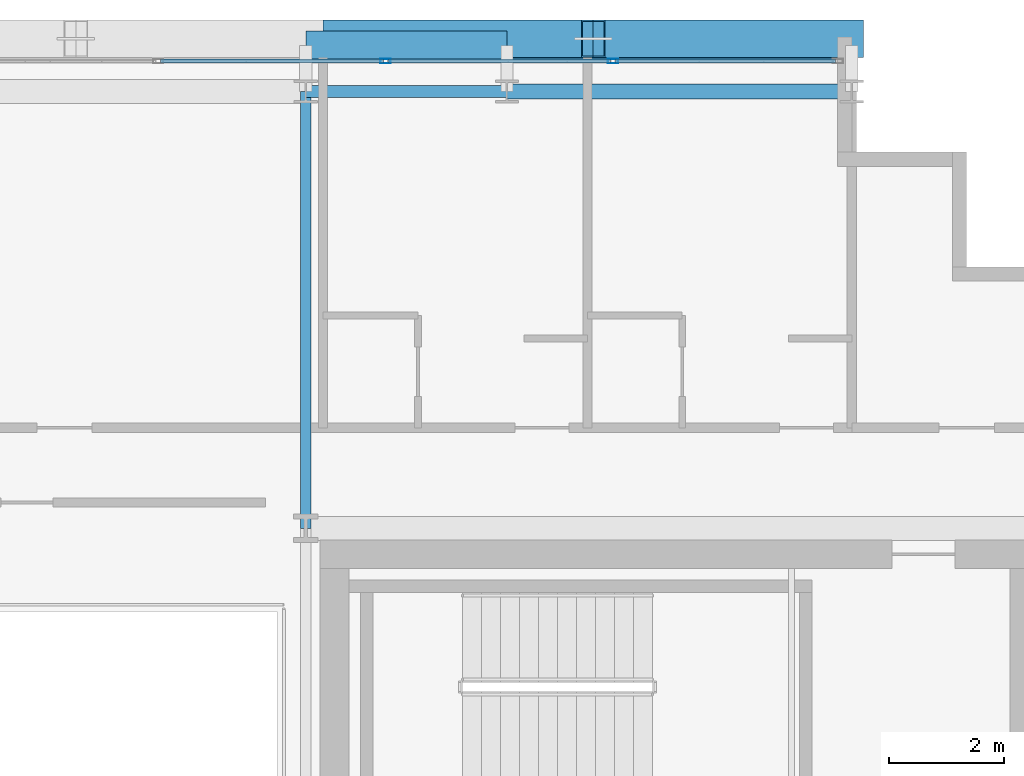
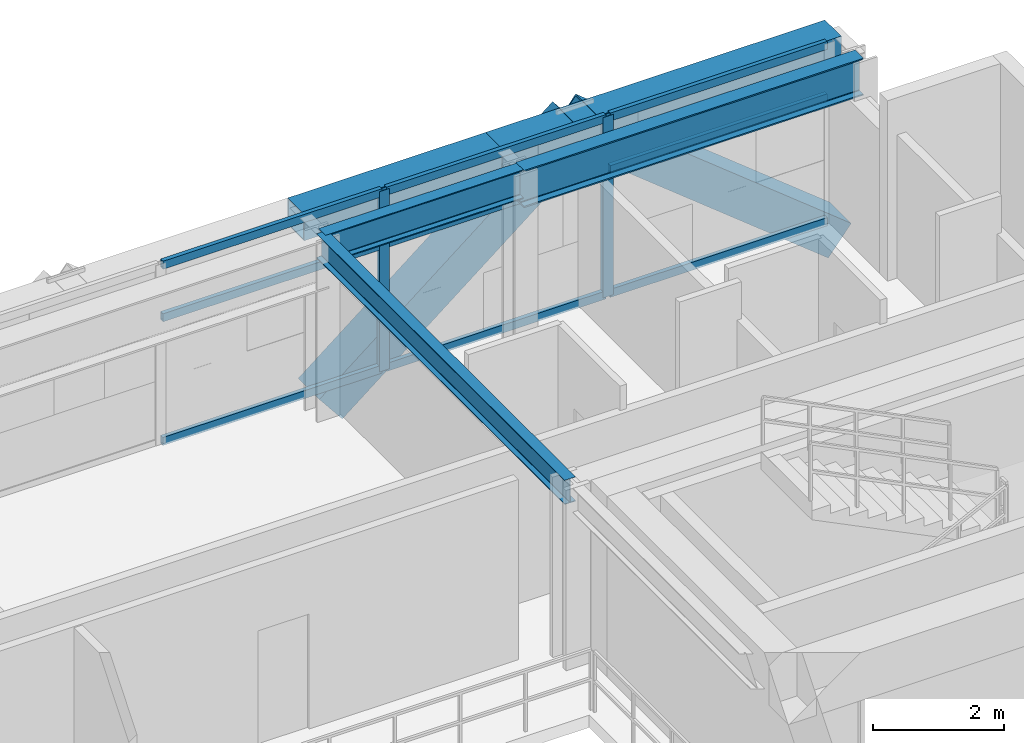
# One storey, part 18 of 31: 13 members, 5 beams, 1 element without a shape of its own.
"""IFC4 building model written with IfcOpenShell, lengths in metres."""

from ifc_helpers import new_model, si_unit, direction, frame, origin, origin_2d, place, context, subcontext, project, spatial, hollow_rectangle, i_section, extrude, source, transform, mapped, material, layer, layer_set, material_profile, profile_set, type_object, element, aggregate, save


model = new_model("IFC4")

# Units and contexts
model_context = context("Model", 3, precision=1e-05, world=origin(), true_north=direction((0.0, 1.0)))
body_context = subcontext(model_context, "Body", "Model", "MODEL_VIEW")
ifc_project = project(units=[si_unit("LENGTHUNIT", "METRE"), si_unit("AREAUNIT", "SQUARE_METRE"), si_unit("VOLUMEUNIT", "CUBIC_METRE"), si_unit("PLANEANGLEUNIT", "RADIAN"), si_unit("MASSUNIT", "GRAM", prefix="KILO")], contexts=[model_context])

# Site, building, storey
site_placement = place(None, origin())
site = spatial("IfcSite", under=ifc_project, at=site_placement, CompositionType="ELEMENT")
building_placement = place(site_placement, origin())
building = spatial("IfcBuilding", under=site, at=building_placement, Name="Ocotamira Hotel", CompositionType="ELEMENT")
storey_placement = place(building_placement, frame((0.0, 0.0, 181.199951171875)))
storey = spatial("IfcBuildingStorey", under=building, at=storey_placement, Name="L45", CompositionType="ELEMENT", Elevation=181.199951171875)

# Beams
ifc_material_1 = material(Name="Steel ASTM A992 Grade 50", Category="steel")
ifc_material_profile_1 = material_profile(ifc_material_1, i_section(OverallWidth=0.256103515625, OverallDepth=0.693115234375, WebThickness=0.014404296875, FlangeThickness=0.023681640625, FilletRadius=0.01611328125, at=origin_2d()), Name="W27X114")
ifc_profile_set_1 = profile_set([ifc_material_profile_1], Name="Steel ASTM A992 Grade 50")
beam_type_1 = type_object("IfcBeamType", Name="BM-PRIM-W27X114", PredefinedType="BEAM", material=ifc_profile_set_1)
shared_shape_1 = source(origin(), body_context, "Body", "SweptSolid", [
    extrude(i_section(OverallWidth=0.256103515625, OverallDepth=0.693115234375, WebThickness=0.014404296875, FlangeThickness=0.023681640625, FilletRadius=0.01611328125, at=origin_2d()), origin(), (0.0, 0.0, 1.0), 6.0),
])
beam_1_placement = place(storey_placement, frame((44.0, 45.050048828125, 3.0234375), z_axis=(1.0, 0.0, 0.0), x_axis=(0.0, 1.0, 0.0)))
element("IfcBeam", 1, at=beam_1_placement, inside=storey, type_object=beam_type_1, Name="L45 Girder Y45.05 X44-50", PredefinedType="BEAM", context=body_context, shape_type="MappedRepresentation", body=[
    mapped(shared_shape_1, transform((0.0, 0.0, 0.0), scale=1.0)),
])
ifc_material_profile_2 = material_profile(ifc_material_1, i_section(OverallWidth=0.2099609375, OverallDepth=0.537109375, WebThickness=0.010986328125, FlangeThickness=0.017333984375, FilletRadius=0.012939453125, at=origin_2d()), Name="W21X68")
ifc_profile_set_2 = profile_set([ifc_material_profile_2], Name="Steel ASTM A992 Grade 50")
beam_type_2 = type_object("IfcBeamType", Name="BM-SEC-W21X68", PredefinedType="JOIST", material=ifc_profile_set_2)
shared_shape_2 = source(origin(), body_context, "Body", "SweptSolid", [
    extrude(i_section(OverallWidth=0.2099609375, OverallDepth=0.537109375, WebThickness=0.010986328125, FlangeThickness=0.017333984375, FilletRadius=0.012939453125, at=origin_2d()), origin(), (0.0, 0.0, 1.0), 3.5),
])
beam_2_placement = place(storey_placement, frame((40.5, 45.050048828125, 3.1015625), z_axis=(1.0, 0.0, 0.0), x_axis=(0.0, 1.0, 0.0)))
element("IfcBeam", 2, at=beam_2_placement, inside=storey, type_object=beam_type_2, Name="L45 Girder Y45.05 X40.5-44", PredefinedType="JOIST", context=body_context, shape_type="MappedRepresentation", body=[
    mapped(shared_shape_2, transform((0.0, 0.0, 0.0), scale=1.0)),
])
ifc_material_2 = material(Name="Steel ASTM A500 Grade C", Category="steel")
ifc_material_profile_3 = material_profile(ifc_material_2, hollow_rectangle(XDim=0.5, YDim=0.5, WallThickness=0.02001953125, at=origin_2d()), Name="HSS500X500X20")
ifc_profile_set_3 = profile_set([ifc_material_profile_3], Name="Steel ASTM A500 Grade C")
beam_type_3 = type_object("IfcBeamType", Name="BM-SPAN-HSS500", PredefinedType="USERDEFINED", material=ifc_profile_set_3)
shared_shape_3 = source(origin(), body_context, "Body", "SweptSolid", [
    extrude(hollow_rectangle(XDim=0.5, YDim=0.5, WallThickness=0.02001953125, at=origin_2d()), origin(), (0.0, 0.0, 1.0), 6.0),
])
beam_3_placement = place(storey_placement, frame((44.0, 45.85009765625, 3.1201171875), z_axis=(1.0, 0.0, 0.0), x_axis=(0.0, 1.0, 0.0)))
element("IfcBeam", 3, at=beam_3_placement, inside=storey, type_object=beam_type_3, Name="L45 Edge Spandrel N X44-50", ObjectType="SPANDREL", PredefinedType="USERDEFINED", context=body_context, shape_type="MappedRepresentation", body=[
    mapped(shared_shape_3, transform((0.0, 0.0, 0.0), scale=1.0)),
])
shared_shape_4 = source(origin(), body_context, "Body", "SweptSolid", [
    extrude(hollow_rectangle(XDim=0.5, YDim=0.5, WallThickness=0.02001953125, at=origin_2d()), origin(), (0.0, 0.0, 1.0), 3.5),
])
beam_4_placement = place(storey_placement, frame((40.5, 45.85009765625, 3.1201171875), z_axis=(1.0, 0.0, 0.0), x_axis=(0.0, 1.0, 0.0)))
element("IfcBeam", 4, at=beam_4_placement, inside=storey, type_object=beam_type_3, Name="L45 Edge Spandrel N X40.5-44", ObjectType="SPANDREL", PredefinedType="USERDEFINED", context=body_context, shape_type="MappedRepresentation", body=[
    mapped(shared_shape_4, transform((0.0, 0.0, 0.0), scale=1.0)),
])
ifc_material_profile_4 = material_profile(ifc_material_1, i_section(OverallWidth=0.18994140625, OverallDepth=0.45703125, WebThickness=0.009033203125, FlangeThickness=0.014404296875, FilletRadius=0.010009765625, at=origin_2d()), Name="W18X50")
ifc_profile_set_4 = profile_set([ifc_material_profile_4], Name="Steel ASTM A992 Grade 50")
beam_type_4 = type_object("IfcBeamType", Name="BM-SEC-W18X50", PredefinedType="JOIST", material=ifc_profile_set_4)
shared_shape_5 = source(origin(), body_context, "Body", "SweptSolid", [
    extrude(i_section(OverallWidth=0.18994140625, OverallDepth=0.45703125, WebThickness=0.009033203125, FlangeThickness=0.014404296875, FilletRadius=0.010009765625, at=origin_2d()), origin(), (0.0, 0.0, 1.0), 7.60009765625),
])
beam_5_placement = place(storey_placement, frame((40.5, 37.449951171875, 3.1416015625), z_axis=(0.0, 1.0, 0.0), x_axis=(-1.0, 0.0, 0.0)))
element("IfcBeam", 5, at=beam_5_placement, inside=storey, type_object=beam_type_4, Name="L45 Beam X40.5 Y37.45-45.05", PredefinedType="JOIST", context=body_context, shape_type="MappedRepresentation", body=[
    mapped(shared_shape_5, transform((0.0, 0.0, 0.0), scale=1.0)),
])

# Members
ifc_material_3 = material(Name="Pale-metal coated steel ASTM A913 Grade 65", Category="steel")
ifc_material_profile_5 = material_profile(ifc_material_3, hollow_rectangle(XDim=0.64990234375, YDim=0.64990234375, WallThickness=0.02197265625, at=origin_2d()), Name="BOX650X650X22")
ifc_profile_set_5 = profile_set([ifc_material_profile_5], Name="Pale-metal coated steel ASTM A913 Grade 65")
member_type_1 = type_object("IfcMemberType", Name="MEM-EXO-BOX650", PredefinedType="BRACE", material=ifc_profile_set_5)
shared_shape_6 = source(origin(), body_context, "Body", "SweptSolid", [
    extrude(hollow_rectangle(XDim=0.64990234375, YDim=0.64990234375, WallThickness=0.02197265625, at=origin_2d()), origin(), (0.0, 0.0, 1.0), 5.762939453125),
])
for number, where, z_axis, x_axis, name in (
    (6, (41.0, 45.969970703125, -0.47998046875), (0.780860543151, 0.0, 0.624705380279), (0.0, 1.0, 0.0), "L45 Exoskeleton Diagrid N3.1"),
    (7, (50.0, 45.969970703125, -0.47998046875), (-0.780860543151, 0.0, 0.624705380279), (0.0, -1.0, 0.0), "L45 Exoskeleton Diagrid N3.2"),
):
    element("IfcMember", number, at=place(storey_placement, frame(where, z_axis=z_axis, x_axis=x_axis)), inside=storey, type_object=member_type_1, Name=name, PredefinedType="BRACE", context=body_context, shape_type="MappedRepresentation", body=[
        mapped(shared_shape_6, transform((0.0, 0.0, 0.0), scale=1.0)),
    ])

# Curtain wall, members
ifc_material_4 = material(Name="Anodised pale-metal aluminium and solar glass", Category="aluminium")
ifc_layer = layer(ifc_material_4, 0.199951171875)
ifc_layer_set = layer_set([ifc_layer], Name="Anodised pale-metal aluminium and solar glass")
curtain_wall_type = type_object("IfcCurtainWallType", Name="CW-SYS4-Z3", PredefinedType="NOTDEFINED", material=ifc_layer_set)
curtain_wall_placement = place(storey_placement, origin())
curtain_wall = element("IfcCurtainWall", 8, at=curtain_wall_placement, inside=storey, type_object=curtain_wall_type, Name="L45 Curtain Wall CW-4 CW-L45-N", PredefinedType="NOTDEFINED")
ifc_material_5 = material(Name="Anodised pale-metal aluminium 6063-T6", Category="aluminium")
ifc_material_profile_6 = material_profile(ifc_material_5, hollow_rectangle(XDim=0.074951171875, YDim=0.14990234375, WallThickness=0.006103515625, at=origin_2d()), Name="HSS150X75X6")
ifc_profile_set_6 = profile_set([ifc_material_profile_6], Name="Anodised pale-metal aluminium 6063-T6")
member_type_2 = type_object("IfcMemberType", Name="CWT-150X75", PredefinedType="USERDEFINED", material=ifc_profile_set_6)
shared_shape_7 = source(origin(), body_context, "Body", "SweptSolid", [
    extrude(hollow_rectangle(XDim=0.074951171875, YDim=0.14990234375, WallThickness=0.006103515625, at=origin_2d()), origin(), (0.0, 0.0, 1.0), 3.83544921875),
])
member_1_placement = place(storey_placement, frame((45.884521484375, 45.580078125, 0.03759765625), z_axis=(1.0, 0.0, 0.0), x_axis=(0.0, 1.0, 0.0)))
member_1 = element("IfcMember", 9, at=member_1_placement, type_object=member_type_2, Name="CW-4 transom 9.1", ObjectType="TRANSOM", PredefinedType="USERDEFINED", context=body_context, shape_type="MappedRepresentation", body=[
    mapped(shared_shape_7, transform((0.0, 0.0, 0.0), scale=1.0)),
])
member_2_placement = place(storey_placement, frame((45.884521484375, 45.580078125, 2.35009765625), z_axis=(1.0, 0.0, 0.0), x_axis=(0.0, 1.0, 0.0)))
member_2 = element("IfcMember", 10, at=member_2_placement, type_object=member_type_2, Name="CW-4 transom 9.2", ObjectType="TRANSOM", PredefinedType="USERDEFINED", context=body_context, shape_type="MappedRepresentation", body=[
    mapped(shared_shape_7, transform((0.0, 0.0, 0.0), scale=1.0)),
])
member_3_placement = place(storey_placement, frame((45.884521484375, 45.580078125, 3.33251953125), z_axis=(1.0, 0.0, 0.0), x_axis=(0.0, 1.0, 0.0)))
member_3 = element("IfcMember", 11, at=member_3_placement, type_object=member_type_2, Name="CW-4 transom 9.3", ObjectType="TRANSOM", PredefinedType="USERDEFINED", context=body_context, shape_type="MappedRepresentation", body=[
    mapped(shared_shape_7, transform((0.0, 0.0, 0.0), scale=1.0)),
])
shared_shape_8 = source(origin(), body_context, "Body", "SweptSolid", [
    extrude(hollow_rectangle(XDim=0.074951171875, YDim=0.14990234375, WallThickness=0.006103515625, at=origin_2d()), origin(), (0.0, 0.0, 1.0), 3.87548828125),
])
member_4_placement = place(storey_placement, frame((37.973388671875, 45.580078125, 0.03759765625), z_axis=(1.0, 0.0, 0.0), x_axis=(0.0, 1.0, 0.0)))
member_4 = element("IfcMember", 12, at=member_4_placement, type_object=member_type_2, Name="CW-4 transom 7.1", ObjectType="TRANSOM", PredefinedType="USERDEFINED", context=body_context, shape_type="MappedRepresentation", body=[
    mapped(shared_shape_8, transform((0.0, 0.0, 0.0), scale=1.0)),
])
member_5_placement = place(storey_placement, frame((37.973388671875, 45.580078125, 2.35009765625), z_axis=(1.0, 0.0, 0.0), x_axis=(0.0, 1.0, 0.0)))
member_5 = element("IfcMember", 13, at=member_5_placement, type_object=member_type_2, Name="CW-4 transom 7.2", ObjectType="TRANSOM", PredefinedType="USERDEFINED", context=body_context, shape_type="MappedRepresentation", body=[
    mapped(shared_shape_8, transform((0.0, 0.0, 0.0), scale=1.0)),
])
member_6_placement = place(storey_placement, frame((37.973388671875, 45.580078125, 3.33251953125), z_axis=(1.0, 0.0, 0.0), x_axis=(0.0, 1.0, 0.0)))
member_6 = element("IfcMember", 14, at=member_6_placement, type_object=member_type_2, Name="CW-4 transom 7.3", ObjectType="TRANSOM", PredefinedType="USERDEFINED", context=body_context, shape_type="MappedRepresentation", body=[
    mapped(shared_shape_8, transform((0.0, 0.0, 0.0), scale=1.0)),
])
member_7_placement = place(storey_placement, frame((41.928955078125, 45.580078125, 0.03759765625), z_axis=(1.0, 0.0, 0.0), x_axis=(0.0, 1.0, 0.0)))
member_7 = element("IfcMember", 15, at=member_7_placement, type_object=member_type_2, Name="CW-4 transom 8.1", ObjectType="TRANSOM", PredefinedType="USERDEFINED", context=body_context, shape_type="MappedRepresentation", body=[
    mapped(shared_shape_8, transform((0.0, 0.0, 0.0), scale=1.0)),
])
member_8_placement = place(storey_placement, frame((41.928955078125, 45.580078125, 2.35009765625), z_axis=(1.0, 0.0, 0.0), x_axis=(0.0, 1.0, 0.0)))
member_8 = element("IfcMember", 16, at=member_8_placement, type_object=member_type_2, Name="CW-4 transom 8.2", ObjectType="TRANSOM", PredefinedType="USERDEFINED", context=body_context, shape_type="MappedRepresentation", body=[
    mapped(shared_shape_8, transform((0.0, 0.0, 0.0), scale=1.0)),
])
member_9_placement = place(storey_placement, frame((41.928955078125, 45.580078125, 3.33251953125), z_axis=(1.0, 0.0, 0.0), x_axis=(0.0, 1.0, 0.0)))
member_9 = element("IfcMember", 17, at=member_9_placement, type_object=member_type_2, Name="CW-4 transom 8.3", ObjectType="TRANSOM", PredefinedType="USERDEFINED", context=body_context, shape_type="MappedRepresentation", body=[
    mapped(shared_shape_8, transform((0.0, 0.0, 0.0), scale=1.0)),
])
ifc_material_profile_7 = material_profile(ifc_material_5, hollow_rectangle(XDim=0.080078125, YDim=0.179931640625, WallThickness=0.006103515625, at=origin_2d()), Name="HSS180X80X6")
ifc_profile_set_7 = profile_set([ifc_material_profile_7], Name="Anodised pale-metal aluminium 6063-T6")
member_type_3 = type_object("IfcMemberType", Name="CWM-180X75", PredefinedType="MULLION", material=ifc_profile_set_7)
shared_shape_9 = source(origin(), body_context, "Body", "SweptSolid", [
    extrude(hollow_rectangle(XDim=0.080078125, YDim=0.179931640625, WallThickness=0.006103515625, at=origin_2d()), origin(), (0.0, 0.0, 1.0), 3.3701171875),
])
member_10_placement = place(storey_placement, frame((41.888916015625, 45.580078125, 0.0), z_axis=(0.0, 0.0, 1.0), x_axis=(0.0, 1.0, 0.0)))
member_10 = element("IfcMember", 18, at=member_10_placement, type_object=member_type_3, Name="CW-4 mullion 8", PredefinedType="MULLION", context=body_context, shape_type="MappedRepresentation", body=[
    mapped(shared_shape_9, transform((0.0, 0.0, 0.0), scale=1.0)),
])
member_11_placement = place(storey_placement, frame((45.844482421875, 45.580078125, 0.0), z_axis=(0.0, 0.0, 1.0), x_axis=(0.0, 1.0, 0.0)))
member_11 = element("IfcMember", 19, at=member_11_placement, type_object=member_type_3, Name="CW-4 mullion 9", PredefinedType="MULLION", context=body_context, shape_type="MappedRepresentation", body=[
    mapped(shared_shape_9, transform((0.0, 0.0, 0.0), scale=1.0)),
])
aggregate(curtain_wall, [member_10, member_11, member_4, member_5, member_6, member_7, member_8, member_9, member_1, member_2, member_3])

save(model, "model.ifc")
